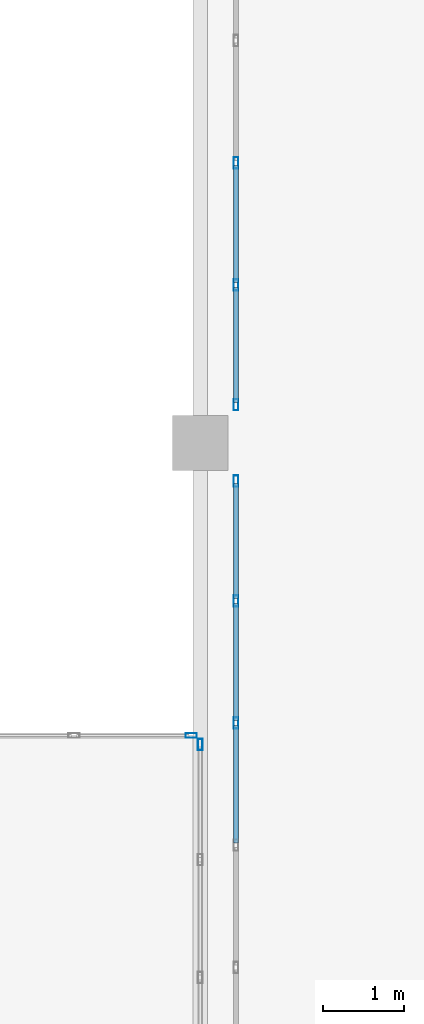
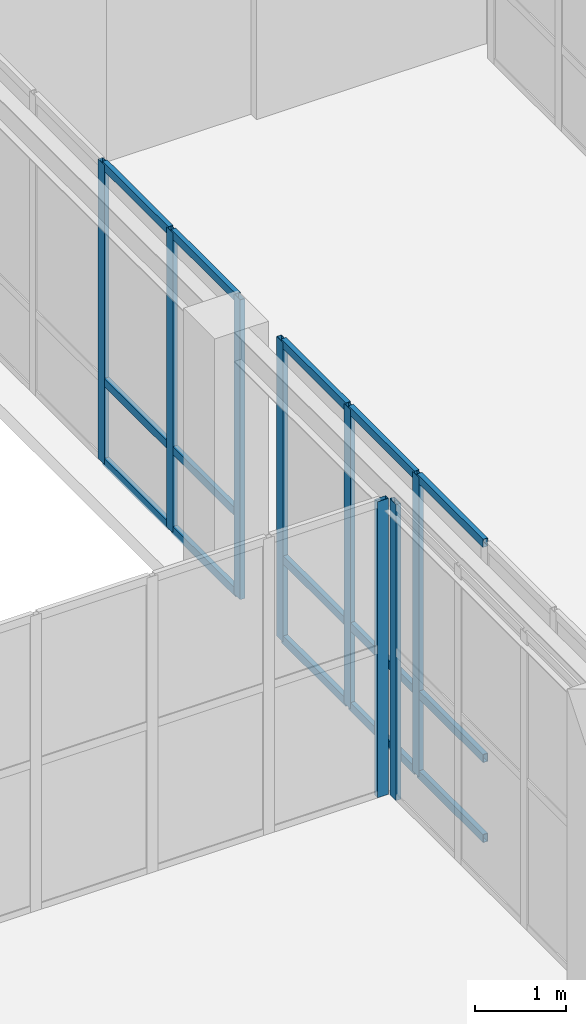
# One storey, part 64 of 140: 23 members, 4 elements without a shape of their own.
"""IFC4 building model written with IfcOpenShell, lengths in metres."""

from ifc_helpers import new_model, si_unit, direction, frame, origin, origin_2d, place, context, subcontext, project, spatial, hollow_rectangle, extrude, material, layer, layer_set, material_profile, profile_set, type_object, element, aggregate, save


model = new_model("IFC4")

# Units and contexts
model_context = context("Model", 3, precision=1e-05, world=origin(), true_north=direction((0.0, 1.0)))
body_context = subcontext(model_context, "Body", "Model", "MODEL_VIEW")
ifc_project = project(units=[si_unit("LENGTHUNIT", "METRE"), si_unit("AREAUNIT", "SQUARE_METRE"), si_unit("VOLUMEUNIT", "CUBIC_METRE"), si_unit("PLANEANGLEUNIT", "RADIAN"), si_unit("MASSUNIT", "GRAM", prefix="KILO")], contexts=[model_context])

# Site, building, storey
site_placement = place(None, origin())
site = spatial("IfcSite", under=ifc_project, at=site_placement, CompositionType="ELEMENT")
building_placement = place(site_placement, origin())
building = spatial("IfcBuilding", under=site, at=building_placement, Name="Trelvath General Hospital", CompositionType="ELEMENT")
storey_placement = place(building_placement, frame((0.0, 0.0, 16.199951171875)))
storey = spatial("IfcBuildingStorey", under=building, at=storey_placement, Name="L04", CompositionType="ELEMENT", Elevation=16.199951171875)

# Curtain wall, member
ifc_material_1 = material(Name="Anodised aluminium and low-E glass", Category="aluminium")
ifc_layer_1 = layer(ifc_material_1, 0.139892578125)
ifc_layer_set_1 = layer_set([ifc_layer_1], Name="Anodised aluminium and low-E glass")
curtain_wall_type_1 = type_object("IfcCurtainWallType", Name="CW CrystalCube 737 396 14", PredefinedType="USERDEFINED", material=ifc_layer_set_1)
curtain_wall_1_placement = place(storey_placement, origin())
curtain_wall_1 = element("IfcCurtainWall", 1, at=curtain_wall_1_placement, inside=storey, type_object=curtain_wall_type_1, Name="Crystal Cube Curtain Wall CUBE-W-T1 N3 L04", ObjectType="Unitised Glazed Curtain Wall", PredefinedType="USERDEFINED")
ifc_material_2 = material(Name="Anodised aluminium", Category="aluminium")
ifc_material_profile_1 = material_profile(ifc_material_2, hollow_rectangle(XDim=0.06005859375, YDim=0.139892578125, WallThickness=0.00390625, at=origin_2d()), Name="RHS60x140x4")
ifc_profile_set_1 = profile_set([ifc_material_profile_1], Name="Anodised aluminium")
member_type_1 = type_object("IfcMemberType", Name="CurtainMullion 60x140", PredefinedType="MULLION", material=ifc_profile_set_1)
member_1_placement = place(storey_placement, frame((75.489990234375, 80.39990234375, 0.0), z_axis=(0.0, 0.0, 1.0), x_axis=(0.0, 1.0, 0.0)))
member_1 = element("IfcMember", 2, at=member_1_placement, type_object=member_type_1, Name="CW-273 mullion 6", PredefinedType="MULLION", context=body_context, shape_type="SweptSolid", body=[
    extrude(hollow_rectangle(XDim=0.06005859375, YDim=0.139892578125, WallThickness=0.00390625, at=origin_2d()), origin(), (0.0, 0.0, 1.0), 3.9599609375),
])
aggregate(curtain_wall_1, [member_1])

ifc_material_3 = material(Name="Anodised aluminium and low-E glass", Category="aluminium")
ifc_layer_2 = layer(ifc_material_3, 0.139892578125)
ifc_layer_set_2 = layer_set([ifc_layer_2], Name="Anodised aluminium and low-E glass")
curtain_wall_type_2 = type_object("IfcCurtainWallType", Name="CW CrystalCube 435 396 14", PredefinedType="USERDEFINED", material=ifc_layer_set_2)
curtain_wall_2_placement = place(storey_placement, origin())
curtain_wall_2 = element("IfcCurtainWall", 3, at=curtain_wall_2_placement, inside=storey, type_object=curtain_wall_type_2, Name="Crystal Cube Curtain Wall CUBE-W-T1 E5 L04", ObjectType="Unitised Glazed Curtain Wall", PredefinedType="USERDEFINED")
member_2_placement = place(storey_placement, frame((75.60009765625, 80.2900390625, 0.0), z_axis=(0.0, 0.0, 1.0), x_axis=(1.0, 0.0, 0.0)))
member_2 = element("IfcMember", 4, at=member_2_placement, type_object=member_type_1, Name="CW-281 mullion 1", PredefinedType="MULLION", context=body_context, shape_type="SweptSolid", body=[
    extrude(hollow_rectangle(XDim=0.06005859375, YDim=0.139892578125, WallThickness=0.00390625, at=origin_2d()), origin(), (0.0, 0.0, 1.0), 3.9599609375),
])
aggregate(curtain_wall_2, [member_2])

# Curtain wall, members
ifc_material_4 = material(Name="Anodised aluminium and low-E glass", Category="aluminium")
ifc_layer_3 = layer(ifc_material_4, 0.139892578125)
ifc_layer_set_3 = layer_set([ifc_layer_3], Name="Anodised aluminium and low-E glass")
curtain_wall_type_3 = type_object("IfcCurtainWallType", Name="CW Bridge 752 401", PredefinedType="USERDEFINED", material=ifc_layer_set_3)
curtain_wall_3_placement = place(storey_placement, origin())
curtain_wall_3 = element("IfcCurtainWall", 5, at=curtain_wall_3_placement, inside=storey, type_object=curtain_wall_type_3, Name="Glazed Bridge Curtain Wall BRG-N-C W L04", ObjectType="Unitised Glazed Curtain Wall", PredefinedType="USERDEFINED")
member_3_placement = place(storey_placement, frame((76.0400390625, 80.552001953125, 0.0), z_axis=(0.0, 0.0, 1.0), x_axis=(-1.0, 0.0, 0.0)))
member_3 = element("IfcMember", 6, at=member_3_placement, type_object=member_type_1, Name="CW-298 mullion 4", PredefinedType="MULLION", context=body_context, shape_type="SweptSolid", body=[
    extrude(hollow_rectangle(XDim=0.06005859375, YDim=0.139892578125, WallThickness=0.00390625, at=origin_2d()), origin(), (0.0, 0.0, 1.0), 4.010009765625),
])
member_4_placement = place(storey_placement, frame((76.0400390625, 82.055908203125, 0.0), z_axis=(0.0, 0.0, 1.0), x_axis=(-1.0, 0.0, 0.0)))
member_4 = element("IfcMember", 7, at=member_4_placement, type_object=member_type_1, Name="CW-298 mullion 5", PredefinedType="MULLION", context=body_context, shape_type="SweptSolid", body=[
    extrude(hollow_rectangle(XDim=0.06005859375, YDim=0.139892578125, WallThickness=0.00390625, at=origin_2d()), origin(), (0.0, 0.0, 1.0), 4.010009765625),
])
member_5_placement = place(storey_placement, frame((76.0400390625, 83.530029296875, 0.0), z_axis=(0.0, 0.0, 1.0), x_axis=(-1.0, 0.0, 0.0)))
member_5 = element("IfcMember", 8, at=member_5_placement, type_object=member_type_1, Name="CW-298 mullion 6", PredefinedType="MULLION", context=body_context, shape_type="SweptSolid", body=[
    extrude(hollow_rectangle(XDim=0.06005859375, YDim=0.139892578125, WallThickness=0.00390625, at=origin_2d()), origin(), (0.0, 0.0, 1.0), 4.010009765625),
])

curtain_wall_4_placement = place(storey_placement, origin())
curtain_wall_4 = element("IfcCurtainWall", 9, at=curtain_wall_4_placement, inside=storey, type_object=curtain_wall_type_3, Name="Glazed Bridge Curtain Wall BRG-N-C W L04", ObjectType="Unitised Glazed Curtain Wall", PredefinedType="USERDEFINED")
member_6_placement = place(storey_placement, frame((76.0400390625, 84.469970703125, 0.0), z_axis=(0.0, 0.0, 1.0), x_axis=(-1.0, 0.0, 0.0)))
member_6 = element("IfcMember", 10, at=member_6_placement, type_object=member_type_1, Name="CW-300 mullion 1", PredefinedType="MULLION", context=body_context, shape_type="SweptSolid", body=[
    extrude(hollow_rectangle(XDim=0.06005859375, YDim=0.139892578125, WallThickness=0.00390625, at=origin_2d()), origin(), (0.0, 0.0, 1.0), 4.010009765625),
])
member_7_placement = place(storey_placement, frame((76.0400390625, 85.944091796875, 0.0), z_axis=(0.0, 0.0, 1.0), x_axis=(-1.0, 0.0, 0.0)))
member_7 = element("IfcMember", 11, at=member_7_placement, type_object=member_type_1, Name="CW-300 mullion 2", PredefinedType="MULLION", context=body_context, shape_type="SweptSolid", body=[
    extrude(hollow_rectangle(XDim=0.06005859375, YDim=0.139892578125, WallThickness=0.00390625, at=origin_2d()), origin(), (0.0, 0.0, 1.0), 4.010009765625),
])
member_8_placement = place(storey_placement, frame((76.0400390625, 87.447998046875, 0.0), z_axis=(0.0, 0.0, 1.0), x_axis=(-1.0, 0.0, 0.0)))
member_8 = element("IfcMember", 12, at=member_8_placement, type_object=member_type_1, Name="CW-300 mullion 3", PredefinedType="MULLION", context=body_context, shape_type="SweptSolid", body=[
    extrude(hollow_rectangle(XDim=0.06005859375, YDim=0.139892578125, WallThickness=0.00390625, at=origin_2d()), origin(), (0.0, 0.0, 1.0), 4.010009765625),
])

# Member
ifc_material_5 = material(Name="Anodised aluminium", Category="aluminium")
ifc_material_profile_2 = material_profile(ifc_material_5, hollow_rectangle(XDim=0.06005859375, YDim=0.110107421875, WallThickness=0.00390625, at=origin_2d()), Name="RHS60x110x4")
ifc_profile_set_2 = profile_set([ifc_material_profile_2], Name="Anodised aluminium")
member_type_2 = type_object("IfcMemberType", Name="CurtainTransom 60x110", PredefinedType="USERDEFINED", material=ifc_profile_set_2)
member_9_placement = place(storey_placement, frame((76.0400390625, 79.077880859375, 0.030029296875), z_axis=(0.0, 1.0, 0.0), x_axis=(-1.0, 0.0, 0.0)))
member_9 = element("IfcMember", 13, at=member_9_placement, type_object=member_type_2, Name="CW-298 transom 3.1", ObjectType="TRANSOM", PredefinedType="USERDEFINED", context=body_context, shape_type="SweptSolid", body=[
    extrude(hollow_rectangle(XDim=0.06005859375, YDim=0.110107421875, WallThickness=0.00390625, at=origin_2d()), origin(), (0.0, 0.0, 1.0), 1.444091796875),
])

member_10_placement = place(storey_placement, frame((76.0400390625, 79.077880859375, 1.10009765625), z_axis=(0.0, 1.0, 0.0), x_axis=(-1.0, 0.0, 0.0)))
member_10 = element("IfcMember", 14, at=member_10_placement, type_object=member_type_2, Name="CW-298 transom 3.2", ObjectType="TRANSOM", PredefinedType="USERDEFINED", context=body_context, shape_type="SweptSolid", body=[
    extrude(hollow_rectangle(XDim=0.06005859375, YDim=0.110107421875, WallThickness=0.00390625, at=origin_2d()), origin(), (0.0, 0.0, 1.0), 1.444091796875),
])

member_11_placement = place(storey_placement, frame((76.0400390625, 79.077880859375, 3.97998046875), z_axis=(0.0, 1.0, 0.0), x_axis=(-1.0, 0.0, 0.0)))
member_11 = element("IfcMember", 15, at=member_11_placement, type_object=member_type_2, Name="CW-298 transom 3.3", ObjectType="TRANSOM", PredefinedType="USERDEFINED", context=body_context, shape_type="SweptSolid", body=[
    extrude(hollow_rectangle(XDim=0.06005859375, YDim=0.110107421875, WallThickness=0.00390625, at=origin_2d()), origin(), (0.0, 0.0, 1.0), 1.444091796875),
])

member_12_placement = place(storey_placement, frame((76.0400390625, 80.58203125, 0.030029296875), z_axis=(0.0, 1.0, 0.0), x_axis=(-1.0, 0.0, 0.0)))
member_12 = element("IfcMember", 16, at=member_12_placement, type_object=member_type_2, Name="CW-298 transom 4.1", ObjectType="TRANSOM", PredefinedType="USERDEFINED", context=body_context, shape_type="SweptSolid", body=[
    extrude(hollow_rectangle(XDim=0.06005859375, YDim=0.110107421875, WallThickness=0.00390625, at=origin_2d()), origin(), (0.0, 0.0, 1.0), 1.44384765625),
])

member_13_placement = place(storey_placement, frame((76.0400390625, 80.58203125, 1.10009765625), z_axis=(0.0, 1.0, 0.0), x_axis=(-1.0, 0.0, 0.0)))
member_13 = element("IfcMember", 17, at=member_13_placement, type_object=member_type_2, Name="CW-298 transom 4.2", ObjectType="TRANSOM", PredefinedType="USERDEFINED", context=body_context, shape_type="SweptSolid", body=[
    extrude(hollow_rectangle(XDim=0.06005859375, YDim=0.110107421875, WallThickness=0.00390625, at=origin_2d()), origin(), (0.0, 0.0, 1.0), 1.44384765625),
])

member_14_placement = place(storey_placement, frame((76.0400390625, 80.58203125, 3.97998046875), z_axis=(0.0, 1.0, 0.0), x_axis=(-1.0, 0.0, 0.0)))
member_14 = element("IfcMember", 18, at=member_14_placement, type_object=member_type_2, Name="CW-298 transom 4.3", ObjectType="TRANSOM", PredefinedType="USERDEFINED", context=body_context, shape_type="SweptSolid", body=[
    extrude(hollow_rectangle(XDim=0.06005859375, YDim=0.110107421875, WallThickness=0.00390625, at=origin_2d()), origin(), (0.0, 0.0, 1.0), 1.44384765625),
])

member_15_placement = place(storey_placement, frame((76.0400390625, 82.0859375, 0.030029296875), z_axis=(0.0, 1.0, 0.0), x_axis=(-1.0, 0.0, 0.0)))
member_15 = element("IfcMember", 19, at=member_15_placement, type_object=member_type_2, Name="CW-298 transom 5.1", ObjectType="TRANSOM", PredefinedType="USERDEFINED", context=body_context, shape_type="SweptSolid", body=[
    extrude(hollow_rectangle(XDim=0.06005859375, YDim=0.110107421875, WallThickness=0.00390625, at=origin_2d()), origin(), (0.0, 0.0, 1.0), 1.4140625),
])

member_16_placement = place(storey_placement, frame((76.0400390625, 82.0859375, 1.10009765625), z_axis=(0.0, 1.0, 0.0), x_axis=(-1.0, 0.0, 0.0)))
member_16 = element("IfcMember", 20, at=member_16_placement, type_object=member_type_2, Name="CW-298 transom 5.2", ObjectType="TRANSOM", PredefinedType="USERDEFINED", context=body_context, shape_type="SweptSolid", body=[
    extrude(hollow_rectangle(XDim=0.06005859375, YDim=0.110107421875, WallThickness=0.00390625, at=origin_2d()), origin(), (0.0, 0.0, 1.0), 1.4140625),
])

member_17_placement = place(storey_placement, frame((76.0400390625, 82.0859375, 3.97998046875), z_axis=(0.0, 1.0, 0.0), x_axis=(-1.0, 0.0, 0.0)))
member_17 = element("IfcMember", 21, at=member_17_placement, type_object=member_type_2, Name="CW-298 transom 5.3", ObjectType="TRANSOM", PredefinedType="USERDEFINED", context=body_context, shape_type="SweptSolid", body=[
    extrude(hollow_rectangle(XDim=0.06005859375, YDim=0.110107421875, WallThickness=0.00390625, at=origin_2d()), origin(), (0.0, 0.0, 1.0), 1.4140625),
])

aggregate(curtain_wall_3, [member_3, member_4, member_5, member_9, member_10, member_11, member_12, member_13, member_14, member_15, member_16, member_17])

member_18_placement = place(storey_placement, frame((76.0400390625, 84.5, 0.030029296875), z_axis=(0.0, 1.0, 0.0), x_axis=(-1.0, 0.0, 0.0)))
member_18 = element("IfcMember", 22, at=member_18_placement, type_object=member_type_2, Name="CW-300 transom 1.1", ObjectType="TRANSOM", PredefinedType="USERDEFINED", context=body_context, shape_type="SweptSolid", body=[
    extrude(hollow_rectangle(XDim=0.06005859375, YDim=0.110107421875, WallThickness=0.00390625, at=origin_2d()), origin(), (0.0, 0.0, 1.0), 1.4140625),
])

member_19_placement = place(storey_placement, frame((76.0400390625, 84.5, 1.10009765625), z_axis=(0.0, 1.0, 0.0), x_axis=(-1.0, 0.0, 0.0)))
member_19 = element("IfcMember", 23, at=member_19_placement, type_object=member_type_2, Name="CW-300 transom 1.2", ObjectType="TRANSOM", PredefinedType="USERDEFINED", context=body_context, shape_type="SweptSolid", body=[
    extrude(hollow_rectangle(XDim=0.06005859375, YDim=0.110107421875, WallThickness=0.00390625, at=origin_2d()), origin(), (0.0, 0.0, 1.0), 1.4140625),
])

member_20_placement = place(storey_placement, frame((76.0400390625, 84.5, 3.97998046875), z_axis=(0.0, 1.0, 0.0), x_axis=(-1.0, 0.0, 0.0)))
member_20 = element("IfcMember", 24, at=member_20_placement, type_object=member_type_2, Name="CW-300 transom 1.3", ObjectType="TRANSOM", PredefinedType="USERDEFINED", context=body_context, shape_type="SweptSolid", body=[
    extrude(hollow_rectangle(XDim=0.06005859375, YDim=0.110107421875, WallThickness=0.00390625, at=origin_2d()), origin(), (0.0, 0.0, 1.0), 1.4140625),
])

member_21_placement = place(storey_placement, frame((76.0400390625, 85.97412109375, 0.030029296875), z_axis=(0.0, 1.0, 0.0), x_axis=(-1.0, 0.0, 0.0)))
member_21 = element("IfcMember", 25, at=member_21_placement, type_object=member_type_2, Name="CW-300 transom 2.1", ObjectType="TRANSOM", PredefinedType="USERDEFINED", context=body_context, shape_type="SweptSolid", body=[
    extrude(hollow_rectangle(XDim=0.06005859375, YDim=0.110107421875, WallThickness=0.00390625, at=origin_2d()), origin(), (0.0, 0.0, 1.0), 1.44384765625),
])

member_22_placement = place(storey_placement, frame((76.0400390625, 85.97412109375, 1.10009765625), z_axis=(0.0, 1.0, 0.0), x_axis=(-1.0, 0.0, 0.0)))
member_22 = element("IfcMember", 26, at=member_22_placement, type_object=member_type_2, Name="CW-300 transom 2.2", ObjectType="TRANSOM", PredefinedType="USERDEFINED", context=body_context, shape_type="SweptSolid", body=[
    extrude(hollow_rectangle(XDim=0.06005859375, YDim=0.110107421875, WallThickness=0.00390625, at=origin_2d()), origin(), (0.0, 0.0, 1.0), 1.44384765625),
])

member_23_placement = place(storey_placement, frame((76.0400390625, 85.97412109375, 3.97998046875), z_axis=(0.0, 1.0, 0.0), x_axis=(-1.0, 0.0, 0.0)))
member_23 = element("IfcMember", 27, at=member_23_placement, type_object=member_type_2, Name="CW-300 transom 2.3", ObjectType="TRANSOM", PredefinedType="USERDEFINED", context=body_context, shape_type="SweptSolid", body=[
    extrude(hollow_rectangle(XDim=0.06005859375, YDim=0.110107421875, WallThickness=0.00390625, at=origin_2d()), origin(), (0.0, 0.0, 1.0), 1.44384765625),
])

aggregate(curtain_wall_4, [member_6, member_7, member_8, member_18, member_19, member_20, member_21, member_22, member_23])

save(model, "model.ifc")
